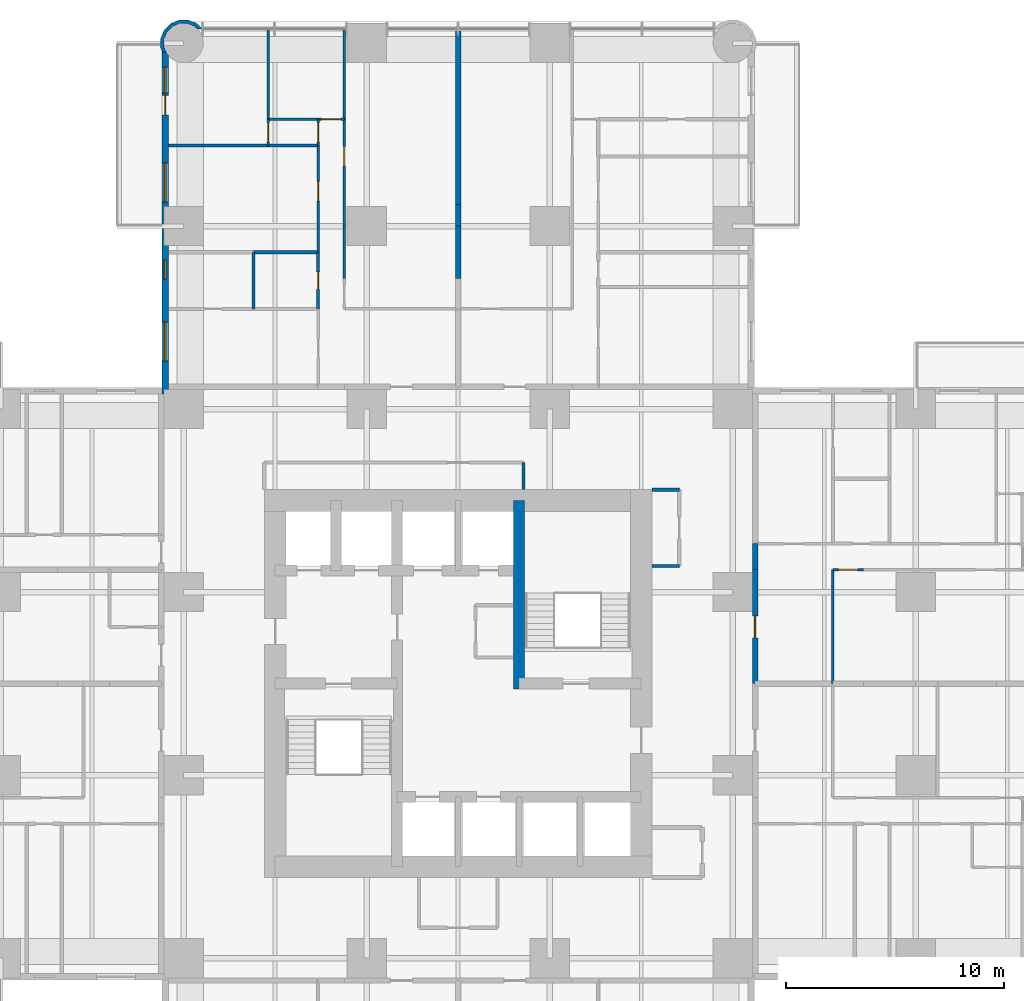
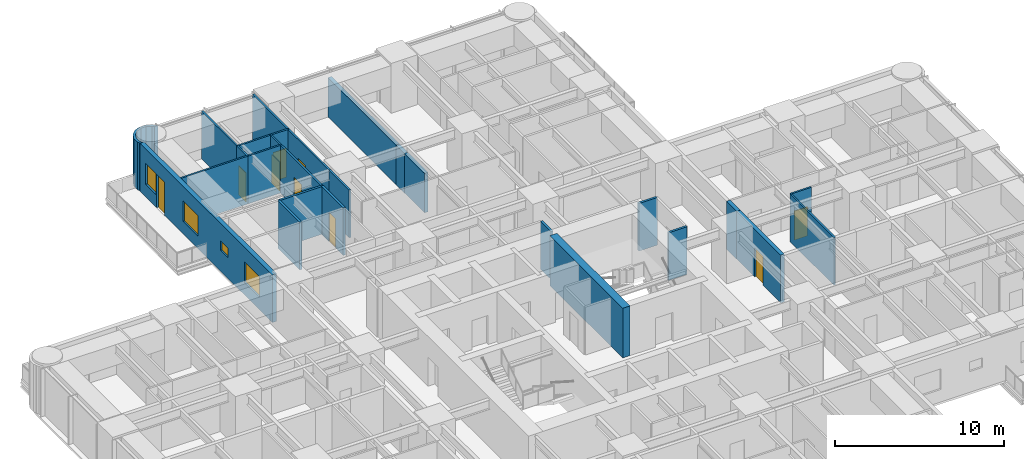
# One storey, part 13 of 17: 27 walls, 9 doors, 4 windows, 13 openings.
"""IFC4 building model written with IfcOpenShell, lengths in metres."""

from ifc_helpers import new_model, si_unit, direction, frame, frame_2d, origin, place, context, subcontext, project, spatial, polyline, rectangle, outline, extrude, material, layer, layer_set, type_object, element, fill, save


model = new_model("IFC4")

# Units and contexts
model_context = context("Model", 3, precision=1e-05, world=origin(), true_north=direction((0.0, 1.0)))
body_context = subcontext(model_context, "Body", "Model", "MODEL_VIEW")
ifc_project = project(units=[si_unit("LENGTHUNIT", "METRE"), si_unit("AREAUNIT", "SQUARE_METRE"), si_unit("VOLUMEUNIT", "CUBIC_METRE"), si_unit("PLANEANGLEUNIT", "RADIAN"), si_unit("MASSUNIT", "GRAM", prefix="KILO")], contexts=[model_context])

# Site, building, storey
site_placement = place(None, origin())
site = spatial("IfcSite", under=ifc_project, at=site_placement, CompositionType="ELEMENT")
building_placement = place(site_placement, origin())
building = spatial("IfcBuilding", under=site, at=building_placement, Name="Torre Alcanfor", CompositionType="ELEMENT")
storey_placement = place(building_placement, frame((0.0, 0.0, 45.300048828125)))
storey = spatial("IfcBuildingStorey", under=building, at=storey_placement, Name="L10", CompositionType="ELEMENT", Elevation=45.300048828125)

# Wall, opening, door
ifc_material_1 = material(Name="Concrete block masonry, hollow blocks NMX-C-404 9 MPa", Category="masonry")
ifc_layer_1 = layer(ifc_material_1, 0.25)
ifc_layer_set_1 = layer_set([ifc_layer_1], Name="Apartment entrance wall 250 EI 60")
wall_type_1 = type_object("IfcWallType", Name="Apartment entrance wall 250 EI 60", PredefinedType="PARTITIONING", material=ifc_layer_set_1)
wall_1_placement = place(storey_placement, frame((43.02490234375, 34.62890625, 0.0), z_axis=(0.0, 0.0, 1.0), x_axis=(0.0, -1.0, 0.0)))
wall_1 = element("IfcWall", 1, at=wall_1_placement, inside=storey, type_object=wall_type_1, Name="Partition L10-CORR / L10-E1-ZAG", PredefinedType="PARTITIONING", context=body_context, shape_type="SweptSolid", body=[
    extrude(rectangle(XDim=5.22900390625, YDim=0.25, at=frame_2d((2.614501953125, 0.0))), origin(), (0.0, 0.0, 1.0), 3.449951171875),
])
opening_1_placement = place(wall_1_placement, frame((2.12890625, 0.0, 0.0)))
opening_1 = element("IfcOpeningElement", 2, at=opening_1_placement, cuts=wall_1, Name="Opening D-A1", PredefinedType="OPENING", context=body_context, shape_type="SweptSolid", body=[
    extrude(rectangle(XDim=1.0, YDim=2.10009765625, at=frame_2d((0.5, 1.050048828125))), frame((0.0, 0.135009765625, 0.0), z_axis=(0.0, -1.0, 0.0), x_axis=(1.0, 0.0, 0.0)), (0.0, 0.0, 1.0), 0.27001953125),
])
ifc_material_2 = material(Name="Galvanised steel sheet ASTM A653", Category="steel")
door_type_1 = type_object("IfcDoorType", Name="Apartment entrance door FD60 1000x2100", OperationType="SINGLE_SWING_LEFT", PredefinedType="DOOR", material=ifc_material_2)
door_1_placement = place(opening_1_placement, origin())
door_1 = element("IfcDoor", 3, at=door_1_placement, inside=storey, type_object=door_type_1, Name="Apartment entrance L10-E1", OperationType="SINGLE_SWING_RIGHT", OverallHeight=2.10009765625, OverallWidth=1.0, PredefinedType="DOOR", context=body_context, shape_type="SweptSolid", body=[
    extrude(rectangle(XDim=1.0, YDim=2.10009765625, at=frame_2d((0.5, 1.050048828125))), frame((0.0, 0.02490234375, 0.0), z_axis=(0.0, -1.0, 0.0), x_axis=(1.0, 0.0, 0.0)), (0.0, 0.0, 1.0), 0.050048828125),
])
fill(opening_1, door_1)

# Walls
wall_2_placement = place(storey_placement, frame((43.02490234375, 35.8291015625, 0.0), z_axis=(0.0, 0.0, 1.0), x_axis=(0.0, -1.0, 0.0)))
element("IfcWall", 4, at=wall_2_placement, inside=storey, type_object=wall_type_1, Name="Partition L10-CORR / L10-E1-HALL", PredefinedType="PARTITIONING", context=body_context, shape_type="SweptSolid", body=[
    extrude(rectangle(XDim=1.2001953125, YDim=0.25, at=frame_2d((0.60009765625, 0.0))), origin(), (0.0, 0.0, 1.0), 3.449951171875),
])
ifc_material_3 = material(Name="Gypsum board on steel studs", Category="steel")
ifc_layer_2 = layer(ifc_material_3, 0.1201171875)
ifc_layer_set_2 = layer_set([ifc_layer_2], Name="Apartment partition 120")
wall_type_2 = type_object("IfcWallType", Name="Apartment partition 120", PredefinedType="PARTITIONING", material=ifc_layer_set_2)
wall_3_placement = place(storey_placement, frame((24.1708984375, 50.39990234375, 0.0), z_axis=(0.0, 0.0, 1.0), x_axis=(0.0, -1.0, 0.0)))
element("IfcWall", 5, at=wall_3_placement, inside=storey, type_object=wall_type_2, Name="Partition L10-N1-KITCHEN / L10-N1-HALL", PredefinedType="PARTITIONING", context=body_context, shape_type="SweptSolid", body=[
    extrude(rectangle(XDim=2.39990234375, YDim=0.1201171875, at=frame_2d((1.199951171875, 0.0))), origin(), (0.0, 0.0, 1.0), 3.449951171875),
])

# Wall, opening, door
wall_4_placement = place(storey_placement, frame((24.1708984375, 55.300048828125, 0.0), z_axis=(0.0, 0.0, 1.0), x_axis=(0.0, -1.0, 0.0)))
wall_4 = element("IfcWall", 6, at=wall_4_placement, inside=storey, type_object=wall_type_2, Name="Partition L10-N1-LIVING / L10-N1-HALL", PredefinedType="PARTITIONING", context=body_context, shape_type="SweptSolid", body=[
    extrude(rectangle(XDim=4.900146484375, YDim=0.1201171875, at=frame_2d((2.4501953125, 0.0))), origin(), (0.0, 0.0, 1.0), 3.449951171875),
])
opening_2_placement = place(wall_4_placement, frame((1.25, 0.0, 0.0)))
opening_2 = element("IfcOpeningElement", 7, at=opening_2_placement, cuts=wall_4, Name="Opening D-R1", PredefinedType="OPENING", context=body_context, shape_type="SweptSolid", body=[
    extrude(rectangle(XDim=0.89990234375, YDim=2.10009765625, at=frame_2d((0.449951171875, 1.050048828125))), frame((0.0, 0.070068359375, 0.0), z_axis=(0.0, -1.0, 0.0), x_axis=(1.0, 0.0, 0.0)), (0.0, 0.0, 1.0), 0.14013671875),
])
ifc_material_4 = material(Name="Timber", Category="wood")
door_type_2 = type_object("IfcDoorType", Name="Internal door 900x2100", OperationType="SINGLE_SWING_LEFT", PredefinedType="DOOR", material=ifc_material_4)
door_2_placement = place(opening_2_placement, origin())
door_2 = element("IfcDoor", 8, at=door_2_placement, inside=storey, type_object=door_type_2, Name="Door L10-N1 living", OperationType="SINGLE_SWING_RIGHT", OverallHeight=2.10009765625, OverallWidth=0.89990234375, PredefinedType="DOOR", context=body_context, shape_type="SweptSolid", body=[
    extrude(rectangle(XDim=0.89990234375, YDim=2.10009765625, at=frame_2d((0.449951171875, 1.050048828125))), frame((0.0, 0.02490234375, 0.0), z_axis=(0.0, -1.0, 0.0), x_axis=(1.0, 0.0, 0.0)), (0.0, 0.0, 1.0), 0.050048828125),
])
fill(opening_2, door_2)

# Wall
wall_5_placement = place(storey_placement, frame((24.1708984375, 59.449951171875, 0.0), z_axis=(0.0, 0.0, 1.0), x_axis=(0.0, -1.0, 0.0)))
element("IfcWall", 9, at=wall_5_placement, inside=storey, type_object=wall_type_2, Name="Partition L10-N1-LIVING / L10-N1-BED2", PredefinedType="PARTITIONING", context=body_context, shape_type="SweptSolid", body=[
    extrude(rectangle(XDim=4.14990234375, YDim=0.1201171875, at=frame_2d((2.074951171875, 0.0))), origin(), (0.0, 0.0, 1.0), 3.449951171875),
])

# Wall, opening, door
wall_6_placement = place(storey_placement, frame((22.970947265625, 54.10009765625, 0.0), z_axis=(0.0, 0.0, 1.0), x_axis=(0.0, -1.0, 0.0)))
wall_6 = element("IfcWall", 10, at=wall_6_placement, inside=storey, type_object=wall_type_2, Name="Partition L10-N1-HALL / L10-N1-BED3", PredefinedType="PARTITIONING", context=body_context, shape_type="SweptSolid", body=[
    extrude(rectangle(XDim=4.900146484375, YDim=0.1201171875, at=frame_2d((2.4501953125, 0.0))), origin(), (0.0, 0.0, 1.0), 3.449951171875),
])
opening_3_placement = place(wall_6_placement, frame((1.64990234375, 0.0, 0.0)))
opening_3 = element("IfcOpeningElement", 11, at=opening_3_placement, cuts=wall_6, Name="Opening D-R1", PredefinedType="OPENING", context=body_context, shape_type="SweptSolid", body=[
    extrude(rectangle(XDim=0.89990234375, YDim=2.10009765625, at=frame_2d((0.449951171875, 1.050048828125))), frame((0.0, 0.070068359375, 0.0), z_axis=(0.0, -1.0, 0.0), x_axis=(1.0, 0.0, 0.0)), (0.0, 0.0, 1.0), 0.14013671875),
])
door_3_placement = place(opening_3_placement, frame((0.89990234375, 0.0, 0.0), z_axis=(0.0, 0.0, 1.0), x_axis=(-1.0, 0.0, 0.0)))
door_3 = element("IfcDoor", 12, at=door_3_placement, inside=storey, type_object=door_type_2, Name="Door L10-N1 bed3", OperationType="SINGLE_SWING_RIGHT", OverallHeight=2.10009765625, OverallWidth=0.89990234375, PredefinedType="DOOR", context=body_context, shape_type="SweptSolid", body=[
    extrude(rectangle(XDim=0.89990234375, YDim=2.10009765625, at=frame_2d((0.449951171875, 1.050048828125))), frame((0.0, 0.025146484375, 0.0), z_axis=(0.0, -1.0, 0.0), x_axis=(1.0, 0.0, 0.0)), (0.0, 0.0, 1.0), 0.050048828125),
])
fill(opening_3, door_3)

wall_7_placement = place(storey_placement, frame((22.970947265625, 55.300048828125, 0.0), z_axis=(0.0, 0.0, 1.0), x_axis=(0.0, -1.0, 0.0)))
wall_7 = element("IfcWall", 13, at=wall_7_placement, inside=storey, type_object=wall_type_2, Name="Partition L10-N1-HALL / L10-N1-VEST", PredefinedType="PARTITIONING", context=body_context, shape_type="SweptSolid", body=[
    extrude(rectangle(XDim=1.199951171875, YDim=0.1201171875, at=frame_2d((0.60009765625, 0.0))), origin(), (0.0, 0.0, 1.0), 3.449951171875),
])
opening_4_placement = place(wall_7_placement, frame((0.14990234375, 0.0, 0.0)))
opening_4 = element("IfcOpeningElement", 14, at=opening_4_placement, cuts=wall_7, Name="Opening D-R1", PredefinedType="OPENING", context=body_context, shape_type="SweptSolid", body=[
    extrude(rectangle(XDim=0.89990234375, YDim=2.10009765625, at=frame_2d((0.449951171875, 1.050048828125))), frame((0.0, 0.070068359375, 0.0), z_axis=(0.0, -1.0, 0.0), x_axis=(1.0, 0.0, 0.0)), (0.0, 0.0, 1.0), 0.14013671875),
])
door_4_placement = place(opening_4_placement, frame((0.89990234375, 0.0, 0.0), z_axis=(0.0, 0.0, 1.0), x_axis=(-1.0, 0.0, 0.0)))
door_4 = element("IfcDoor", 15, at=door_4_placement, inside=storey, type_object=door_type_2, Name="Door L10-N1 vest", OperationType="SINGLE_SWING_RIGHT", OverallHeight=2.10009765625, OverallWidth=0.89990234375, PredefinedType="DOOR", context=body_context, shape_type="SweptSolid", body=[
    extrude(rectangle(XDim=0.89990234375, YDim=2.10009765625, at=frame_2d((0.449951171875, 1.050048828125))), frame((0.0, 0.025146484375, 0.0), z_axis=(0.0, -1.0, 0.0), x_axis=(1.0, 0.0, 0.0)), (0.0, 0.0, 1.0), 0.050048828125),
])
fill(opening_4, door_4)

wall_8_placement = place(storey_placement, frame((24.1708984375, 55.300048828125, 0.0), z_axis=(0.0, 0.0, 1.0), x_axis=(-1.0, 0.0, 0.0)))
wall_8 = element("IfcWall", 16, at=wall_8_placement, inside=storey, type_object=wall_type_2, Name="Partition L10-N1-HALL / L10-N1-BED2", PredefinedType="PARTITIONING", context=body_context, shape_type="SweptSolid", body=[
    extrude(rectangle(XDim=1.199951171875, YDim=0.1201171875, at=frame_2d((0.60009765625, 0.0))), origin(), (0.0, 0.0, 1.0), 3.449951171875),
])
opening_5_placement = place(wall_8_placement, frame((0.15087890625, 0.0, 0.0)))
opening_5 = element("IfcOpeningElement", 17, at=opening_5_placement, cuts=wall_8, Name="Opening D-R1", PredefinedType="OPENING", context=body_context, shape_type="SweptSolid", body=[
    extrude(rectangle(XDim=0.89990234375, YDim=2.10009765625, at=frame_2d((0.449951171875, 1.050048828125))), frame((0.0, 0.070068359375, 0.0), z_axis=(0.0, -1.0, 0.0), x_axis=(1.0, 0.0, 0.0)), (0.0, 0.0, 1.0), 0.14013671875),
])
door_5_placement = place(opening_5_placement, frame((0.89990234375, 0.0, 0.0), z_axis=(0.0, 0.0, 1.0), x_axis=(-1.0, 0.0, 0.0)))
door_5 = element("IfcDoor", 18, at=door_5_placement, inside=storey, type_object=door_type_2, Name="Door L10-N1 bed2", OperationType="SINGLE_SWING_RIGHT", OverallHeight=2.10009765625, OverallWidth=0.89990234375, PredefinedType="DOOR", context=body_context, shape_type="SweptSolid", body=[
    extrude(rectangle(XDim=0.89990234375, YDim=2.10009765625, at=frame_2d((0.449951171875, 1.050048828125))), frame((0.0, 0.025146484375, 0.0), z_axis=(0.0, -1.0, 0.0), x_axis=(1.0, 0.0, 0.0)), (0.0, 0.0, 1.0), 0.050048828125),
])
fill(opening_5, door_5)

# Walls
wall_9_placement = place(storey_placement, frame((22.970947265625, 54.10009765625, 0.0), z_axis=(0.0, 0.0, 1.0), x_axis=(-1.0, 0.0, 0.0)))
element("IfcWall", 19, at=wall_9_placement, inside=storey, type_object=wall_type_2, Name="Partition L10-N1-BED3 / L10-N1-VEST", PredefinedType="PARTITIONING", context=body_context, shape_type="SweptSolid", body=[
    extrude(rectangle(XDim=2.284912109375, YDim=0.1201171875, at=frame_2d((1.142578125, 0.0))), origin(), (0.0, 0.0, 1.0), 3.449951171875),
])
wall_10_placement = place(storey_placement, frame((20.68603515625, 54.10009765625, 0.0), z_axis=(0.0, 0.0, 1.0), x_axis=(-1.0, 0.0, 0.0)))
element("IfcWall", 20, at=wall_10_placement, inside=storey, type_object=wall_type_2, Name="Partition L10-N1-BED3 / L10-N1-MASTER", PredefinedType="PARTITIONING", context=body_context, shape_type="SweptSolid", body=[
    extrude(rectangle(XDim=4.5859375, YDim=0.1201171875, at=frame_2d((2.29296875, 0.0))), origin(), (0.0, 0.0, 1.0), 3.449951171875),
])
wall_11_placement = place(storey_placement, frame((22.970947265625, 55.300048828125, 0.0), z_axis=(0.0, 0.0, 1.0), x_axis=(-1.0, 0.0, 0.0)))
element("IfcWall", 21, at=wall_11_placement, inside=storey, type_object=wall_type_2, Name="Partition L10-N1-VEST / L10-N1-BED2", PredefinedType="PARTITIONING", context=body_context, shape_type="SweptSolid", body=[
    extrude(rectangle(XDim=2.284912109375, YDim=0.1201171875, at=frame_2d((1.142578125, 0.0))), origin(), (0.0, 0.0, 1.0), 3.449951171875),
])

# Wall, opening, door
wall_12_placement = place(storey_placement, frame((20.68603515625, 55.300048828125, 0.0), z_axis=(0.0, 0.0, 1.0), x_axis=(0.0, -1.0, 0.0)))
wall_12 = element("IfcWall", 22, at=wall_12_placement, inside=storey, type_object=wall_type_2, Name="Partition L10-N1-VEST / L10-N1-MASTER", PredefinedType="PARTITIONING", context=body_context, shape_type="SweptSolid", body=[
    extrude(rectangle(XDim=1.199951171875, YDim=0.1201171875, at=frame_2d((0.60009765625, 0.0))), origin(), (0.0, 0.0, 1.0), 3.449951171875),
])
opening_6_placement = place(wall_12_placement, frame((0.14990234375, 0.0, 0.0)))
opening_6 = element("IfcOpeningElement", 23, at=opening_6_placement, cuts=wall_12, Name="Opening D-R1", PredefinedType="OPENING", context=body_context, shape_type="SweptSolid", body=[
    extrude(rectangle(XDim=0.89990234375, YDim=2.10009765625, at=frame_2d((0.449951171875, 1.050048828125))), frame((0.0, 0.070068359375, 0.0), z_axis=(0.0, -1.0, 0.0), x_axis=(1.0, 0.0, 0.0)), (0.0, 0.0, 1.0), 0.14013671875),
])
door_6_placement = place(opening_6_placement, origin())
door_6 = element("IfcDoor", 24, at=door_6_placement, inside=storey, type_object=door_type_2, Name="Door L10-N1 master", OperationType="SINGLE_SWING_LEFT", OverallHeight=2.10009765625, OverallWidth=0.89990234375, PredefinedType="DOOR", context=body_context, shape_type="SweptSolid", body=[
    extrude(rectangle(XDim=0.89990234375, YDim=2.10009765625, at=frame_2d((0.449951171875, 1.050048828125))), frame((0.0, 0.02490234375, 0.0), z_axis=(0.0, -1.0, 0.0), x_axis=(1.0, 0.0, 0.0)), (0.0, 0.0, 1.0), 0.050048828125),
])
fill(opening_6, door_6)

# Walls
wall_13_placement = place(storey_placement, frame((20.68603515625, 59.449951171875, 0.0), z_axis=(0.0, 0.0, 1.0), x_axis=(0.0, -1.0, 0.0)))
element("IfcWall", 25, at=wall_13_placement, inside=storey, type_object=wall_type_2, Name="Partition L10-N1-BED2 / L10-N1-MASTER", PredefinedType="PARTITIONING", context=body_context, shape_type="SweptSolid", body=[
    extrude(rectangle(XDim=4.14990234375, YDim=0.1201171875, at=frame_2d((2.074951171875, 0.0))), origin(), (0.0, 0.0, 1.0), 3.449951171875),
])
wall_14_placement = place(storey_placement, frame((46.60009765625, 29.39990234375, 0.0), z_axis=(0.0, 0.0, 1.0), x_axis=(0.0, 1.0, 0.0)))
element("IfcWall", 26, at=wall_14_placement, inside=storey, type_object=wall_type_2, Name="Partition L10-E1-ZAG / L10-E1-LAUND", PredefinedType="PARTITIONING", context=body_context, shape_type="SweptSolid", body=[
    extrude(rectangle(XDim=5.22900390625, YDim=0.1201171875, at=frame_2d((2.614501953125, 0.0))), origin(), (0.0, 0.0, 1.0), 3.449951171875),
])

# Wall, opening, door
wall_15_placement = place(storey_placement, frame((48.0, 34.62890625, 0.0), z_axis=(0.0, 0.0, 1.0), x_axis=(-1.0, 0.0, 0.0)))
wall_15 = element("IfcWall", 27, at=wall_15_placement, inside=storey, type_object=wall_type_2, Name="Partition L10-E1-LAUND / L10-E1-HALL", PredefinedType="PARTITIONING", context=body_context, shape_type="SweptSolid", body=[
    extrude(rectangle(XDim=1.39990234375, YDim=0.1201171875, at=frame_2d((0.699951171875, 0.0))), origin(), (0.0, 0.0, 1.0), 3.449951171875),
])
opening_7_placement = place(wall_15_placement, frame((0.25, 0.0, 0.0)))
opening_7 = element("IfcOpeningElement", 28, at=opening_7_placement, cuts=wall_15, Name="Opening D-R1", PredefinedType="OPENING", context=body_context, shape_type="SweptSolid", body=[
    extrude(rectangle(XDim=0.89990234375, YDim=2.10009765625, at=frame_2d((0.449951171875, 1.050048828125))), frame((0.0, 0.070068359375, 0.0), z_axis=(0.0, -1.0, 0.0), x_axis=(1.0, 0.0, 0.0)), (0.0, 0.0, 1.0), 0.14013671875),
])
door_7_placement = place(opening_7_placement, origin())
door_7 = element("IfcDoor", 29, at=door_7_placement, inside=storey, type_object=door_type_2, Name="Door L10-E1 laund", OperationType="SINGLE_SWING_LEFT", OverallHeight=2.10009765625, OverallWidth=0.89990234375, PredefinedType="DOOR", context=body_context, shape_type="SweptSolid", body=[
    extrude(rectangle(XDim=0.89990234375, YDim=2.10009765625, at=frame_2d((0.449951171875, 1.050048828125))), frame((0.0, 0.02490234375, 0.0), z_axis=(0.0, -1.0, 0.0), x_axis=(1.0, 0.0, 0.0)), (0.0, 0.0, 1.0), 0.050048828125),
])
fill(opening_7, door_7)

# Wall
ifc_material_5 = material(Name="Concrete f'c 70 MPa", Category="concrete")
ifc_layer_3 = layer(ifc_material_5, 0.5)
ifc_layer_set_3 = layer_set([ifc_layer_3], Name="Core inner wall 500 f'c70")
wall_type_3 = type_object("IfcWallType", Name="Core inner wall 500 f'c70", PredefinedType="SHEAR", material=ifc_layer_set_3)
wall_16_placement = place(storey_placement, frame((32.199951171875, 29.14990234375, 0.0), z_axis=(0.0, 0.0, 1.0), x_axis=(0.0, 1.0, 0.0)))
element("IfcWall", 30, at=wall_16_placement, inside=storey, type_object=wall_type_3, Name="Core wall X322N L10", PredefinedType="SHEAR", context=body_context, shape_type="SweptSolid", body=[
    extrude(rectangle(XDim=8.650146484375, YDim=0.5, at=frame_2d((4.3251953125, 0.0))), origin(), (0.0, 0.0, 1.0), 3.599853515625),
])

# Wall, openings, door, windows
ifc_material_6 = material(Name="Limestone cladding", Category="masonry")
ifc_layer_4 = layer(ifc_material_6, 0.0400390625, Name="Facing")
ifc_material_7 = material(Name="Ventilated air cavity")
ifc_layer_5 = layer(ifc_material_7, 0.02001953125, ventilated=True, Name="Ventilated joint")
ifc_material_8 = material(Name="Mineral wool insulation", Category="insulation")
ifc_layer_6 = layer(ifc_material_8, 0.10009765625, Name="Insulation")
ifc_material_9 = material(Name="Concrete f'c 35 MPa", Category="concrete")
ifc_layer_7 = layer(ifc_material_9, 0.139892578125, Name="Backing")
ifc_layer_set_4 = layer_set([ifc_layer_4, ifc_layer_5, ifc_layer_6, ifc_layer_7], Name="External wall stone-clad 300")
wall_type_4 = type_object("IfcWallType", Name="External wall stone-clad 300", PredefinedType="SOLIDWALL", material=ifc_layer_set_4)
wall_17_placement = place(storey_placement, frame((15.949951171875, 58.39990234375, 0.0), z_axis=(0.0, 0.0, 1.0), x_axis=(0.0, -1.0, 0.0)))
wall_17 = element("IfcWall", 31, at=wall_17_placement, inside=storey, type_object=wall_type_4, Name="External wall L10 12", PredefinedType="SOLIDWALL", context=body_context, shape_type="SweptSolid", body=[
    extrude(rectangle(XDim=15.699951171875, YDim=0.300048828125, at=frame_2d((7.85009765625, 0.0))), origin(), (0.0, 0.0, 1.0), 3.449951171875),
])
opening_8_placement = place(wall_17_placement, frame((12.39990234375, 0.0, 0.89990234375)))
opening_8 = element("IfcOpeningElement", 32, at=opening_8_placement, cuts=wall_17, Name="Opening W2", PredefinedType="OPENING", context=body_context, shape_type="SweptSolid", body=[
    extrude(rectangle(XDim=1.800048828125, YDim=1.5, at=frame_2d((0.89990234375, 0.75))), frame((0.0, 0.159912109375, 0.0), z_axis=(0.0, -1.0, 0.0), x_axis=(1.0, 0.0, 0.0)), (0.0, 0.0, 1.0), 0.320068359375),
])
opening_9_placement = place(wall_17_placement, frame((9.550048828125, 0.0, 1.5)))
opening_9 = element("IfcOpeningElement", 33, at=opening_9_placement, cuts=wall_17, Name="Opening W3", PredefinedType="OPENING", context=body_context, shape_type="SweptSolid", body=[
    extrude(rectangle(XDim=0.89990234375, YDim=0.699951171875, at=frame_2d((0.449951171875, 0.35009765625))), frame((0.0, 0.159912109375, 0.0), z_axis=(0.0, -1.0, 0.0), x_axis=(1.0, 0.0, 0.0)), (0.0, 0.0, 1.0), 0.320068359375),
])
opening_10_placement = place(wall_17_placement, frame((5.10009765625, 0.0, 0.89990234375)))
opening_10 = element("IfcOpeningElement", 34, at=opening_10_placement, cuts=wall_17, Name="Opening W2", PredefinedType="OPENING", context=body_context, shape_type="SweptSolid", body=[
    extrude(rectangle(XDim=1.800048828125, YDim=1.5, at=frame_2d((0.89990234375, 0.75))), frame((0.0, 0.159912109375, 0.0), z_axis=(0.0, -1.0, 0.0), x_axis=(1.0, 0.0, 0.0)), (0.0, 0.0, 1.0), 0.320068359375),
])
opening_11_placement = place(wall_17_placement, frame((2.0, 0.0, 0.0)))
opening_11 = element("IfcOpeningElement", 35, at=opening_11_placement, cuts=wall_17, Name="Opening D-B1", PredefinedType="OPENING", context=body_context, shape_type="SweptSolid", body=[
    extrude(rectangle(XDim=0.89990234375, YDim=2.39990234375, at=frame_2d((0.449951171875, 1.199951171875))), frame((0.0, 0.159912109375, 0.0), z_axis=(0.0, -1.0, 0.0), x_axis=(1.0, 0.0, 0.0)), (0.0, 0.0, 1.0), 0.320068359375),
])
opening_12_placement = place(wall_17_placement, frame((0.699951171875, 0.0, 0.89990234375)))
opening_12 = element("IfcOpeningElement", 36, at=opening_12_placement, cuts=wall_17, Name="Opening W4", PredefinedType="OPENING", context=body_context, shape_type="SweptSolid", body=[
    extrude(rectangle(XDim=1.199951171875, YDim=1.5, at=frame_2d((0.60009765625, 0.75))), frame((0.0, 0.159912109375, 0.0), z_axis=(0.0, -1.0, 0.0), x_axis=(1.0, 0.0, 0.0)), (0.0, 0.0, 1.0), 0.320068359375),
])
ifc_material_10 = material(Name="Aluminium and glass", Category="aluminium")
door_type_3 = type_object("IfcDoorType", Name="Balcony door glazed 900x2400", OperationType="SINGLE_SWING_LEFT", PredefinedType="DOOR", material=ifc_material_10)
door_8_placement = place(opening_11_placement, origin())
door_8 = element("IfcDoor", 37, at=door_8_placement, inside=storey, type_object=door_type_3, Name="Balcony door L10-N1", OperationType="SINGLE_SWING_RIGHT", OverallHeight=2.39990234375, OverallWidth=0.89990234375, PredefinedType="DOOR", context=body_context, shape_type="SweptSolid", body=[
    extrude(rectangle(XDim=0.89990234375, YDim=2.39990234375, at=frame_2d((0.449951171875, 1.199951171875))), frame((0.0, 0.02490234375, 0.0), z_axis=(0.0, -1.0, 0.0), x_axis=(1.0, 0.0, 0.0)), (0.0, 0.0, 1.0), 0.050048828125),
])
fill(opening_11, door_8)
ifc_material_11 = material(Name="Aluminium frame with clear double glazing", Category="aluminium")
window_type_1 = type_object("IfcWindowType", Name="Window bathroom 900x700", PartitioningType="SINGLE_PANEL", PredefinedType="WINDOW", material=ifc_material_11)
window_1_placement = place(opening_9_placement, origin())
window_1 = element("IfcWindow", 38, at=window_1_placement, inside=storey, type_object=window_type_1, Name="Window W3 L10-N1", OverallHeight=0.699951171875, OverallWidth=0.89990234375, PartitioningType="SINGLE_PANEL", PredefinedType="WINDOW", context=body_context, shape_type="SweptSolid", body=[
    extrude(rectangle(XDim=0.89990234375, YDim=0.699951171875, at=frame_2d((0.449951171875, 0.35009765625))), frame((0.0, 0.030029296875, 0.0), z_axis=(0.0, -1.0, 0.0), x_axis=(1.0, 0.0, 0.0)), (0.0, 0.0, 1.0), 0.06005859375),
])
fill(opening_9, window_1)
ifc_material_12 = material(Name="Aluminium frame with clear double glazing", Category="aluminium")
window_type_2 = type_object("IfcWindowType", Name="Window bedroom 1200x1500", PartitioningType="SINGLE_PANEL", PredefinedType="WINDOW", material=ifc_material_12)
window_2_placement = place(opening_12_placement, origin())
window_2 = element("IfcWindow", 39, at=window_2_placement, inside=storey, type_object=window_type_2, Name="Window W4 L10-N1", OverallHeight=1.5, OverallWidth=1.199951171875, PartitioningType="SINGLE_PANEL", PredefinedType="WINDOW", context=body_context, shape_type="SweptSolid", body=[
    extrude(rectangle(XDim=1.199951171875, YDim=1.5, at=frame_2d((0.60009765625, 0.75))), frame((0.0, 0.030029296875, 0.0), z_axis=(0.0, -1.0, 0.0), x_axis=(1.0, 0.0, 0.0)), (0.0, 0.0, 1.0), 0.06005859375),
])
fill(opening_12, window_2)
ifc_material_13 = material(Name="Aluminium frame with clear double glazing", Category="aluminium")
window_type_3 = type_object("IfcWindowType", Name="Window bedroom 1800x1500", PartitioningType="SINGLE_PANEL", PredefinedType="WINDOW", material=ifc_material_13)
window_3_placement = place(opening_8_placement, origin())
window_3 = element("IfcWindow", 40, at=window_3_placement, inside=storey, type_object=window_type_3, Name="Window W2 L10-N1", OverallHeight=1.5, OverallWidth=1.800048828125, PartitioningType="SINGLE_PANEL", PredefinedType="WINDOW", context=body_context, shape_type="SweptSolid", body=[
    extrude(rectangle(XDim=1.800048828125, YDim=1.5, at=frame_2d((0.89990234375, 0.75))), frame((0.0, 0.030029296875, 0.0), z_axis=(0.0, -1.0, 0.0), x_axis=(1.0, 0.0, 0.0)), (0.0, 0.0, 1.0), 0.06005859375),
])
fill(opening_8, window_3)
window_4_placement = place(opening_10_placement, origin())
window_4 = element("IfcWindow", 41, at=window_4_placement, inside=storey, type_object=window_type_3, Name="Window W2 L10-N1", OverallHeight=1.5, OverallWidth=1.800048828125, PartitioningType="SINGLE_PANEL", PredefinedType="WINDOW", context=body_context, shape_type="SweptSolid", body=[
    extrude(rectangle(XDim=1.800048828125, YDim=1.5, at=frame_2d((0.89990234375, 0.75))), frame((0.0, 0.030029296875, 0.0), z_axis=(0.0, -1.0, 0.0), x_axis=(1.0, 0.0, 0.0)), (0.0, 0.0, 1.0), 0.06005859375),
])
fill(opening_10, window_4)

# Walls
ifc_material_14 = material(Name="Concrete block masonry, hollow blocks NMX-C-404 9 MPa", Category="masonry")
ifc_layer_8 = layer(ifc_material_14, 0.25)
ifc_layer_set_5 = layer_set([ifc_layer_8], Name="Party wall 250 EI 60")
wall_type_5 = type_object("IfcWallType", Name="Party wall 250 EI 60", PredefinedType="PARTITIONING", material=ifc_layer_set_5)
wall_18_placement = place(storey_placement, frame((29.39990234375, 48.0, 0.0), z_axis=(0.0, 0.0, 1.0), x_axis=(0.0, 1.0, 0.0)))
element("IfcWall", 42, at=wall_18_placement, inside=storey, type_object=wall_type_5, Name="Partition L10-N1-KITCHEN / L10-N2-KITCHEN", PredefinedType="PARTITIONING", context=body_context, shape_type="SweptSolid", body=[
    extrude(rectangle(XDim=2.39990234375, YDim=0.25, at=frame_2d((1.199951171875, 0.0))), origin(), (0.0, 0.0, 1.0), 2.847900390625),
])
wall_19_placement = place(storey_placement, frame((29.39990234375, 50.39990234375, 0.0), z_axis=(0.0, 0.0, 1.0), x_axis=(0.0, 1.0, 0.0)))
element("IfcWall", 43, at=wall_19_placement, inside=storey, type_object=wall_type_5, Name="Partition L10-N1-LIVING / L10-N2-KITCHEN", PredefinedType="PARTITIONING", context=body_context, shape_type="SweptSolid", body=[
    extrude(rectangle(XDim=1.0, YDim=0.25, at=frame_2d((0.5, 0.0))), origin(), (0.0, 0.0, 1.0), 2.847900390625),
])
wall_20_placement = place(storey_placement, frame((29.39990234375, 51.39990234375, 0.0), z_axis=(0.0, 0.0, 1.0), x_axis=(0.0, 1.0, 0.0)))
element("IfcWall", 44, at=wall_20_placement, inside=storey, type_object=wall_type_5, Name="Partition L10-N1-LIVING / L10-N2-LIVING", PredefinedType="PARTITIONING", context=body_context, shape_type="SweptSolid", body=[
    extrude(rectangle(XDim=8.050048828125, YDim=0.25, at=frame_2d((4.02490234375, 0.0))), origin(), (0.0, 0.0, 1.0), 2.847900390625),
])
ifc_material_15 = material(Name="Concrete block masonry, hollow blocks NMX-C-404 9 MPa", Category="masonry")
ifc_layer_9 = layer(ifc_material_15, 0.14990234375)
ifc_layer_set_6 = layer_set([ifc_layer_9], Name="Residents' room partition 150")
wall_type_6 = type_object("IfcWallType", Name="Residents' room partition 150", PredefinedType="PARTITIONING", material=ifc_layer_set_6)
for number, where, z_axis, x_axis, name in (
    (45, (32.39990234375, 38.300048828125, 0.0), (0.0, 0.0, 1.0), (0.0, 1.0, 0.0), "Partition L10-CORR / L10-G01"),
    (46, (38.300048828125, 34.800048828125, 0.0), (0.0, 0.0, 1.0), (1.0, 0.0, 0.0), "Partition L10-CORR / L10-G03"),
    (47, (39.550048828125, 38.300048828125, 0.0), (0.0, 0.0, 1.0), (-1.0, 0.0, 0.0), "Partition L10-CORR / L10-G03"),
):
    element("IfcWall", number, at=place(storey_placement, frame(where, z_axis=z_axis, x_axis=x_axis)), inside=storey, type_object=wall_type_6, Name=name, PredefinedType="PARTITIONING", context=body_context, shape_type="SweptSolid", body=[
        extrude(rectangle(XDim=1.25, YDim=0.14990234375, at=frame_2d((0.625, 0.0))), origin(), (0.0, 0.0, 1.0), 3.449951171875),
    ])
ifc_layer_10 = layer(ifc_material_6, 0.0400390625, Name="Facing")
ifc_layer_11 = layer(ifc_material_7, 0.02001953125, ventilated=True, Name="Ventilated joint")
ifc_layer_12 = layer(ifc_material_8, 0.10009765625, Name="Insulation")
ifc_layer_13 = layer(ifc_material_9, 0.139892578125, Name="Backing")
ifc_layer_set_7 = layer_set([ifc_layer_10, ifc_layer_11, ifc_layer_12, ifc_layer_13], Name="Rounded corner pier stone-clad 300")
wall_type_7 = type_object("IfcWallType", Name="Rounded corner pier stone-clad 300", PredefinedType="SOLIDWALL", material=ifc_layer_set_7)
wall_21_placement = place(storey_placement, frame((17.56659392, 59.410519256, 0.0), z_axis=(0.0, 0.0, 1.0), x_axis=(-0.377204953059, 0.926129809145, 0.0)))
element("IfcWall", 48, at=wall_21_placement, inside=storey, type_object=wall_type_7, Name="Corner pier L10 20", PredefinedType="SOLIDWALL", context=body_context, shape_type="SweptSolid", body=[
    extrude(outline(polyline([(-0.2696128896034876, 2.017259773730947), (-0.3700074466497617, 1.8406682313445892), (-0.10228391712117135, 1.84234447704578), (0.22963955939869596, 1.7071548112521016), (0.48448400216769655, 1.4552078217286728), (0.623591424193435, 1.1249193736895309), (0.6256953869469392, 0.7663384814459974), (0.4905057211532608, 0.43441500492612994), (0.23855873162983204, 0.17957056215712927), (0.0901868556189969, 0.11689353267829827), (0.010896458992050665, -0.07778365620699182), (0.024462813618203284, -0.08330911938656994), (0.3293875956360306, 0.04530321995417183), (0.4799529344667901, 0.19750641360159463), (0.4990544088845829, 0.19262629437695172), (0.507600976756774, 0.22526044306054033), (0.6260470289213595, 0.34520397592848606), (0.7850882774402169, 0.7356888832512456), (0.7822913942554518, 1.1572920874778148), (0.618751344370654, 1.5460366857348715), (0.3187584973433468, 1.8424700131097647), (-0.07172640997941271, 2.0015112616286217), (-0.24006791291721008, 2.0004813020300714), (-0.2696128896034876, 2.017259773730947)])), origin(), (0.0, 0.0, 1.0), 3.449951171875),
])

# Wall, opening, door
ifc_material_16 = material(Name="Cement board on steel studs", Category="steel")
ifc_layer_14 = layer(ifc_material_16, 0.14990234375)
ifc_layer_set_8 = layer_set([ifc_layer_14], Name="Wet area partition 150")
wall_type_8 = type_object("IfcWallType", Name="Wet area partition 150", PredefinedType="PARTITIONING", material=ifc_layer_set_8)
wall_22_placement = place(storey_placement, frame((22.970947265625, 49.199951171875, 0.0), z_axis=(0.0, 0.0, 1.0), x_axis=(0.0, -1.0, 0.0)))
wall_22 = element("IfcWall", 49, at=wall_22_placement, inside=storey, type_object=wall_type_8, Name="Partition L10-N1-HALL / L10-N1-BATH1", PredefinedType="PARTITIONING", context=body_context, shape_type="SweptSolid", body=[
    extrude(rectangle(XDim=2.599853515625, YDim=0.14990234375, at=frame_2d((1.2998046875, 0.0))), origin(), (0.0, 0.0, 1.0), 3.449951171875),
])
opening_13_placement = place(wall_22_placement, frame((0.89990234375, 0.0, 0.0)))
opening_13 = element("IfcOpeningElement", 50, at=opening_13_placement, cuts=wall_22, Name="Opening D-R2", PredefinedType="OPENING", context=body_context, shape_type="SweptSolid", body=[
    extrude(rectangle(XDim=0.800048828125, YDim=2.10009765625, at=frame_2d((0.39990234375, 1.050048828125))), frame((0.0, 0.0849609375, 0.0), z_axis=(0.0, -1.0, 0.0), x_axis=(1.0, 0.0, 0.0)), (0.0, 0.0, 1.0), 0.169921875),
])
ifc_material_17 = material(Name="Timber", Category="wood")
door_type_4 = type_object("IfcDoorType", Name="Bathroom door 800x2100", OperationType="SINGLE_SWING_LEFT", PredefinedType="DOOR", material=ifc_material_17)
door_9_placement = place(opening_13_placement, frame((0.800048828125, 0.0, 0.0), z_axis=(0.0, 0.0, 1.0), x_axis=(-1.0, 0.0, 0.0)))
door_9 = element("IfcDoor", 51, at=door_9_placement, inside=storey, type_object=door_type_4, Name="Door L10-N1 bath1", OperationType="SINGLE_SWING_RIGHT", OverallHeight=2.10009765625, OverallWidth=0.800048828125, PredefinedType="DOOR", context=body_context, shape_type="SweptSolid", body=[
    extrude(rectangle(XDim=0.800048828125, YDim=2.10009765625, at=frame_2d((0.400146484375, 1.050048828125))), frame((0.0, 0.025146484375, 0.0), z_axis=(0.0, -1.0, 0.0), x_axis=(1.0, 0.0, 0.0)), (0.0, 0.0, 1.0), 0.050048828125),
])
fill(opening_13, door_9)

# Walls
wall_23_placement = place(storey_placement, frame((20.0, 49.199951171875, 0.0), z_axis=(0.0, 0.0, 1.0), x_axis=(0.0, -1.0, 0.0)))
element("IfcWall", 52, at=wall_23_placement, inside=storey, type_object=wall_type_8, Name="Partition L10-N1-BATH1 / L10-N1-SBATH", PredefinedType="PARTITIONING", context=body_context, shape_type="SweptSolid", body=[
    extrude(rectangle(XDim=2.599853515625, YDim=0.14990234375, at=frame_2d((1.2998046875, 0.0))), origin(), (0.0, 0.0, 1.0), 3.449951171875),
])
wall_24_placement = place(storey_placement, frame((22.970947265625, 49.199951171875, 0.0), z_axis=(0.0, 0.0, 1.0), x_axis=(-1.0, 0.0, 0.0)))
element("IfcWall", 53, at=wall_24_placement, inside=storey, type_object=wall_type_8, Name="Partition L10-N1-BATH1 / L10-N1-BED3", PredefinedType="PARTITIONING", context=body_context, shape_type="SweptSolid", body=[
    extrude(rectangle(XDim=2.970947265625, YDim=0.14990234375, at=frame_2d((1.4853515625, 0.0))), origin(), (0.0, 0.0, 1.0), 3.449951171875),
])

save(model, "model.ifc")
